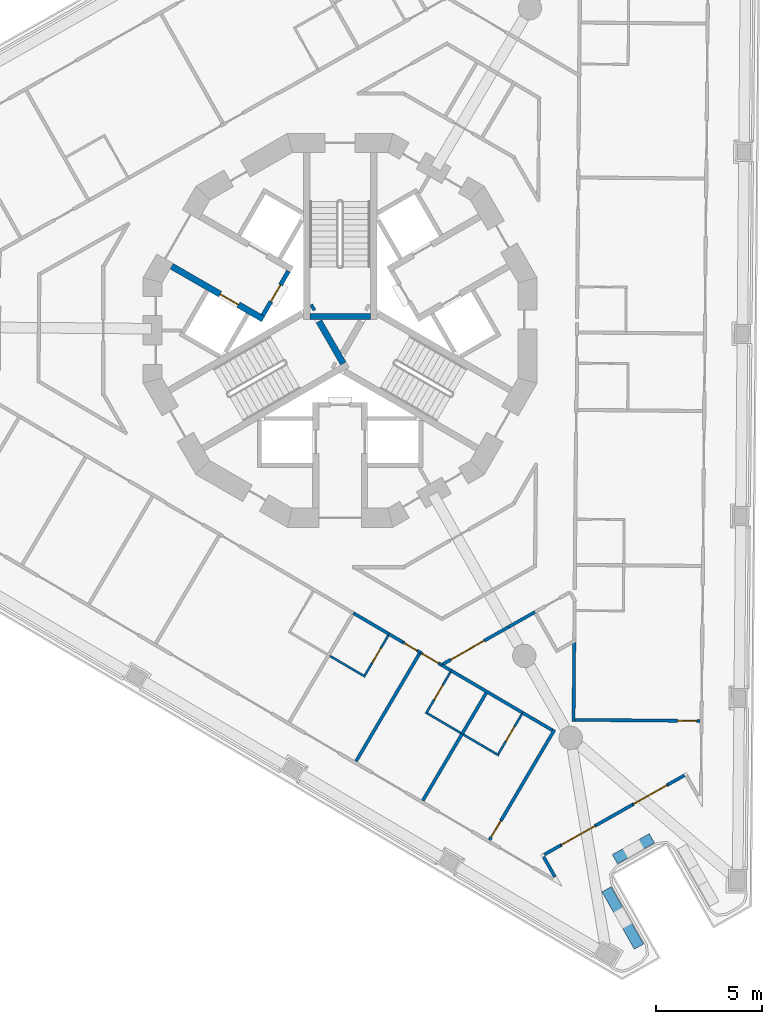
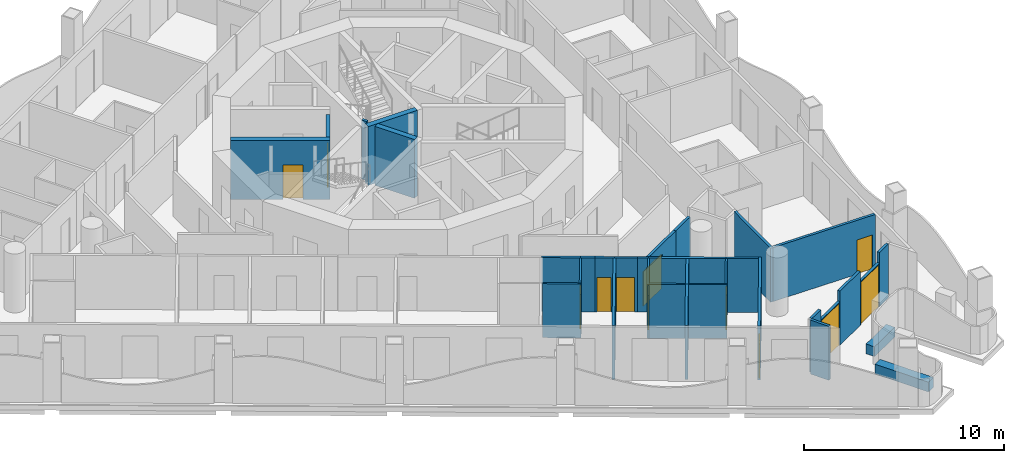
# One storey, part 4 of 17: 34 walls, 12 doors, 12 openings.
"""IFC4 building model written with IfcOpenShell, lengths in metres."""

from ifc_helpers import new_model, si_unit, direction, frame, frame_2d, origin, place, context, subcontext, project, spatial, polyline, rectangle, outline, extrude, material, layer, layer_set, type_object, element, fill, save


model = new_model("IFC4")

# Units and contexts
model_context = context("Model", 3, precision=1e-05, world=origin(), true_north=direction((0.0, 1.0)))
body_context = subcontext(model_context, "Body", "Model", "MODEL_VIEW")
ifc_project = project(units=[si_unit("LENGTHUNIT", "METRE"), si_unit("AREAUNIT", "SQUARE_METRE"), si_unit("VOLUMEUNIT", "CUBIC_METRE"), si_unit("PLANEANGLEUNIT", "RADIAN"), si_unit("MASSUNIT", "GRAM", prefix="KILO")], contexts=[model_context])

# Site, building, storey
site_placement = place(None, origin())
site = spatial("IfcSite", under=ifc_project, at=site_placement, CompositionType="ELEMENT")
building_placement = place(site_placement, origin())
building = spatial("IfcBuilding", under=site, at=building_placement, Name="Trine Commons Tower", CompositionType="ELEMENT")
storey_placement = place(building_placement, frame((0.0, 0.0, 186.300048828125)))
storey = spatial("IfcBuildingStorey", under=building, at=storey_placement, Name="L48", CompositionType="ELEMENT", Elevation=186.300048828125)

# Wall
ifc_material_1 = material(Name="Aluminium-framed insulated wall panel", Category="aluminium")
ifc_layer_1 = layer(ifc_material_1, 0.14990234375)
ifc_layer_set_1 = layer_set([ifc_layer_1], Name="Aluminium-framed insulated wall panel")
wall_type_1 = type_object("IfcWallType", Name="Glazed frame wall 150, EI 60", PredefinedType="SOLIDWALL", material=ifc_layer_set_1)
wall_1_placement = place(storey_placement, frame((96.30078125, 41.6083984375, 0.0), z_axis=(0.0, 0.0, 1.0), x_axis=(-0.870353598469, -0.492427267353, 0.0)))
element("IfcWall", 1, at=wall_1_placement, inside=storey, type_object=wall_type_1, Name="Glazed frame wall P3.1", PredefinedType="SOLIDWALL", context=body_context, shape_type="SweptSolid", body=[
    extrude(outline(polyline([(0.110107421875, -0.074951171875), (1.0, -0.074951171875), (1.0, 0.074951171875), (0.110107421875, 0.074951171875), (0.110107421875, -0.074951171875)])), origin(), (0.0, 0.0, 1.0), 3.300048828125),
])

# Wall, opening, door
wall_2_placement = place(storey_placement, frame((95.430419921875, 41.115966796875, 0.0), z_axis=(0.0, 0.0, 1.0), x_axis=(-0.870354540841, -0.492425601728, 0.0)))
wall_2 = element("IfcWall", 2, at=wall_2_placement, inside=storey, type_object=wall_type_1, Name="Glazed frame wall P3.2", PredefinedType="SOLIDWALL", context=body_context, shape_type="SweptSolid", body=[
    extrude(outline(polyline([(0.0, -0.074951171875), (1.89990234375, -0.074951171875), (1.89990234375, 0.074951171875), (0.0, 0.074951171875), (0.0, -0.074951171875)])), origin(), (0.0, 0.0, 1.0), 2.64990234375),
])
opening_1_placement = place(wall_2_placement, frame((0.050048828125, 0.0, 0.0)))
opening_1 = element("IfcOpeningElement", 3, at=opening_1_placement, cuts=wall_2, Name="Opening BD-5P3-01", PredefinedType="OPENING", context=body_context, shape_type="SweptSolid", body=[
    extrude(rectangle(XDim=1.800048828125, YDim=2.60009765625, at=frame_2d((0.89990234375, 1.300048828125))), frame((0.0, 0.0849609375, 0.0), z_axis=(0.0, -1.0, 0.0), x_axis=(1.0, 0.0, 0.0)), (0.0, 0.0, 1.0), 0.169921875),
])
ifc_material_2 = material(Name="Anodised aluminium frame with double glazing", Category="aluminium")
door_type_1 = type_object("IfcDoorType", Name="Sliding loggia door 1800x2600", OperationType="SLIDING_TO_LEFT", PredefinedType="DOOR", material=ifc_material_2)
door_1_placement = place(opening_1_placement, origin())
door_1 = element("IfcDoor", 4, at=door_1_placement, inside=storey, type_object=door_type_1, Name="Loggia door P3 1", OperationType="SLIDING_TO_LEFT", OverallHeight=2.60009765625, OverallWidth=1.800048828125, PredefinedType="DOOR", context=body_context, shape_type="SweptSolid", body=[
    extrude(rectangle(XDim=1.800048828125, YDim=2.60009765625, at=frame_2d((0.89990234375, 1.300048828125))), frame((0.0, 0.02490234375, 0.0), z_axis=(0.0, -1.0, 0.0), x_axis=(1.0, 0.0, 0.0)), (0.0, 0.0, 1.0), 0.050048828125),
])
fill(opening_1, door_1)

# Wall
wall_3_placement = place(storey_placement, frame((93.77685546875, 40.180419921875, 0.0), z_axis=(0.0, 0.0, 1.0), x_axis=(-0.870353598469, -0.492427267353, 0.0)))
element("IfcWall", 5, at=wall_3_placement, inside=storey, type_object=wall_type_1, Name="Glazed frame wall P3.3", PredefinedType="SOLIDWALL", context=body_context, shape_type="SweptSolid", body=[
    extrude(outline(polyline([(0.0, -0.074951171875), (2.0, -0.074951171875), (2.0, 0.074951171875), (0.0, 0.074951171875), (0.0, -0.074951171875)])), origin(), (0.0, 0.0, 1.0), 3.300048828125),
])

# Wall, opening, door
wall_4_placement = place(storey_placement, frame((92.0361328125, 39.195556640625, 0.0), z_axis=(0.0, 0.0, 1.0), x_axis=(-0.870385695537, -0.492370532226, 0.0)))
wall_4 = element("IfcWall", 6, at=wall_4_placement, inside=storey, type_object=wall_type_1, Name="Glazed frame wall P3.4", PredefinedType="SOLIDWALL", context=body_context, shape_type="SweptSolid", body=[
    extrude(outline(polyline([(0.0, -0.074951171875), (1.89990234375, -0.074951171875), (1.89990234375, 0.074951171875), (0.0, 0.074951171875), (0.0, -0.074951171875)])), origin(), (0.0, 0.0, 1.0), 2.64990234375),
])
opening_2_placement = place(wall_4_placement, frame((0.050048828125, 0.0, 0.0)))
opening_2 = element("IfcOpeningElement", 7, at=opening_2_placement, cuts=wall_4, Name="Opening BD-5P3-02", PredefinedType="OPENING", context=body_context, shape_type="SweptSolid", body=[
    extrude(rectangle(XDim=1.800048828125, YDim=2.60009765625, at=frame_2d((0.89990234375, 1.300048828125))), frame((0.0, 0.0849609375, 0.0), z_axis=(0.0, -1.0, 0.0), x_axis=(1.0, 0.0, 0.0)), (0.0, 0.0, 1.0), 0.169921875),
])
door_2_placement = place(opening_2_placement, origin())
door_2 = element("IfcDoor", 8, at=door_2_placement, inside=storey, type_object=door_type_1, Name="Loggia door P3 2", OperationType="SLIDING_TO_LEFT", OverallHeight=2.60009765625, OverallWidth=1.800048828125, PredefinedType="DOOR", context=body_context, shape_type="SweptSolid", body=[
    extrude(rectangle(XDim=1.800048828125, YDim=2.60009765625, at=frame_2d((0.89990234375, 1.300048828125))), frame((0.0, 0.02490234375, 0.0), z_axis=(0.0, -1.0, 0.0), x_axis=(1.0, 0.0, 0.0)), (0.0, 0.0, 1.0), 0.050048828125),
])
fill(opening_2, door_2)

# Walls
wall_5_placement = place(storey_placement, frame((90.38232421875, 38.260009765625, 0.0), z_axis=(0.0, 0.0, 1.0), x_axis=(-0.870294379776, -0.492531920316, 0.0)))
element("IfcWall", 9, at=wall_5_placement, inside=storey, type_object=wall_type_1, Name="Glazed frame wall P3.5", PredefinedType="SOLIDWALL", context=body_context, shape_type="SweptSolid", body=[
    extrude(outline(polyline([(0.889892578125, 0.074951171875), (0.0, 0.074951171875), (0.0, -0.074951171875), (0.889892578125, -0.074951171875), (0.889892578125, 0.074951171875)])), origin(), (0.0, 0.0, 1.0), 3.300048828125),
])
wall_6_placement = place(storey_placement, frame((89.525390625, 37.815185546875, 0.0), z_axis=(0.0, 0.0, 1.0), x_axis=(0.492302481267, -0.870424187933, 0.0)))
element("IfcWall", 10, at=wall_6_placement, inside=storey, type_object=wall_type_1, Name="Glazed frame wall R11", PredefinedType="SOLIDWALL", context=body_context, shape_type="SweptSolid", body=[
    extrude(outline(polyline([(0.110107421875, 0.074951171875), (0.110107421875, -0.074951171875), (1.19580078125, -0.074951171875), (1.19580078125, 0.074951171875), (0.110107421875, 0.074951171875)])), origin(), (0.0, 0.0, 1.0), 3.300048828125),
])

# Wall, opening, door
ifc_material_3 = material(Name="Fire-rated gypsum shaft wall system")
ifc_layer_2 = layer(ifc_material_3, 0.199951171875)
ifc_layer_set_2 = layer_set([ifc_layer_2], Name="Fire-rated gypsum shaft wall system")
wall_type_2 = type_object("IfcWallType", Name="Lobby end wall 200 mm, EI 120", PredefinedType="PARTITIONING", material=ifc_layer_set_2)
wall_7_placement = place(storey_placement, frame((77.569091796875, 65.2890625, 0.0), z_axis=(0.0, 0.0, 1.0), x_axis=(-0.50012165622, -0.865955154139, 0.0)))
wall_7 = element("IfcWall", 11, at=wall_7_placement, inside=storey, type_object=wall_type_2, Name="Lobby end wall L48", PredefinedType="PARTITIONING", context=body_context, shape_type="SweptSolid", body=[
    extrude(rectangle(XDim=2.39990234375, YDim=0.199951171875, at=frame_2d((1.199951171875, 0.0))), origin(), (0.0, 0.0, 1.0), 3.300048828125),
])
opening_3_placement = place(wall_7_placement, frame((0.749755859375, 0.0, 0.0)))
opening_3 = element("IfcOpeningElement", 12, at=opening_3_placement, cuts=wall_7, Name="Opening K11.07", PredefinedType="OPENING", context=body_context, shape_type="SweptSolid", body=[
    extrude(rectangle(XDim=0.89990234375, YDim=2.10009765625, at=frame_2d((0.449951171875, 1.050048828125))), frame((0.0, 0.10986328125, 0.0), z_axis=(0.0, -1.0, 0.0), x_axis=(1.0, 0.0, 0.0)), (0.0, 0.0, 1.0), 0.219970703125),
])
ifc_material_4 = material(Name="Steel door leaf, fire-rated", Category="steel")
door_type_2 = type_object("IfcDoorType", Name="Riser access door, single leaf 900 x 2100, FD60", OperationType="SINGLE_SWING_LEFT", PredefinedType="DOOR", material=ifc_material_4)
door_3_placement = place(opening_3_placement, frame((0.89990234375, 0.0, 0.0), z_axis=(0.0, 0.0, 1.0), x_axis=(-1.0, 0.0, 0.0)))
door_3 = element("IfcDoor", 13, at=door_3_placement, inside=storey, type_object=door_type_2, Name="Riser door, Mechanical riser L48", OperationType="SINGLE_SWING_RIGHT", OverallHeight=2.10009765625, OverallWidth=0.89990234375, PredefinedType="DOOR", context=body_context, shape_type="SweptSolid", body=[
    extrude(rectangle(XDim=0.89990234375, YDim=2.10009765625, at=frame_2d((0.449951171875, 1.050048828125))), frame((0.0, 0.02490234375, 0.0), z_axis=(0.0, -1.0, 0.0), x_axis=(1.0, 0.0, 0.0)), (0.0, 0.0, 1.0), 0.050048828125),
])
fill(opening_3, door_3)

# Walls
ifc_material_5 = material(Name="Planter trough, precast concrete C40/50", Category="concrete")
ifc_layer_3 = layer(ifc_material_5, 0.5)
ifc_layer_set_3 = layer_set([ifc_layer_3], Name="Planter trough, precast concrete C40/50")
wall_type_3 = type_object("IfcWallType", Name="Planter trough 500x600", PredefinedType="PARAPET", material=ifc_layer_set_3)
wall_8_placement = place(storey_placement, frame((94.67529296875, 38.592041015625, 0.0), z_axis=(0.0, 0.0, 1.0), x_axis=(-0.870323993841, -0.492479589165, 0.0)))
element("IfcWall", 14, at=wall_8_placement, inside=storey, type_object=wall_type_3, Name="Planter 8", PredefinedType="PARAPET", context=body_context, shape_type="SweptSolid", body=[
    extrude(rectangle(XDim=1.999755859375, YDim=0.5, at=frame_2d((1.0, 0.0))), origin(), (0.0, 0.0, 1.0), 0.599853515625),
])
wall_9_placement = place(storey_placement, frame((92.541748046875, 36.189697265625, 0.0), z_axis=(0.0, 0.0, 1.0), x_axis=(0.492402381783, -0.870367677717, 0.0)))
element("IfcWall", 15, at=wall_9_placement, inside=storey, type_object=wall_type_3, Name="Planter 9", PredefinedType="PARAPET", context=body_context, shape_type="SweptSolid", body=[
    extrude(rectangle(XDim=3.099853515625, YDim=0.5, at=frame_2d((1.5498046875, 0.0))), origin(), (0.0, 0.0, 1.0), 0.599853515625),
])

# Wall, opening, door
ifc_material_6 = material(Name="Concrete C60/75", Category="concrete")
ifc_layer_4 = layer(ifc_material_6, 0.300048828125)
ifc_layer_set_4 = layer_set([ifc_layer_4], Name="Concrete C60/75")
wall_type_4 = type_object("IfcWallType", Name="RC shear wall 300 mm, C60/75", PredefinedType="SHEAR", material=ifc_layer_set_4)
wall_10_placement = place(storey_placement, frame((76.381103515625, 63.031005859375, 0.0), z_axis=(0.0, 0.0, 1.0), x_axis=(-0.866080953719, 0.499903772346, 0.0)))
wall_10 = element("IfcWall", 16, at=wall_10_placement, inside=storey, type_object=wall_type_4, Name="Core cross wall SWB-01 L48", PredefinedType="SHEAR", context=body_context, shape_type="SweptSolid", body=[
    extrude(rectangle(XDim=4.97314453125, YDim=0.300048828125, at=frame_2d((2.486572265625, 0.0))), origin(), (0.0, 0.0, 1.0), 3.599853515625),
])
opening_4_placement = place(wall_10_placement, frame((1.350341796875, 0.0, 0.0)))
opening_4 = element("IfcOpeningElement", 17, at=opening_4_placement, cuts=wall_10, Name="Opening LD7", PredefinedType="OPENING", context=body_context, shape_type="SweptSolid", body=[
    extrude(rectangle(XDim=1.0, YDim=2.10009765625, at=frame_2d((0.5, 1.050048828125))), frame((0.0, 0.159912109375, 0.0), z_axis=(0.0, -1.0, 0.0), x_axis=(1.0, 0.0, 0.0)), (0.0, 0.0, 1.0), 0.320068359375),
])
ifc_material_7 = material(Name="Stainless steel sliding door leaves", Category="steel")
door_type_3 = type_object("IfcDoorType", Name="Lift landing door, centre-opening sliding 1000 x 2100, FD90", OperationType="DOUBLE_DOOR_SLIDING", PredefinedType="DOOR", material=ifc_material_7)
door_4_placement = place(opening_4_placement, origin())
door_4 = element("IfcDoor", 18, at=door_4_placement, inside=storey, type_object=door_type_3, Name="Lift landing door HR3 L48", OperationType="DOUBLE_DOOR_SLIDING", OverallHeight=2.10009765625, OverallWidth=1.0, PredefinedType="DOOR", context=body_context, shape_type="SweptSolid", body=[
    extrude(rectangle(XDim=1.0, YDim=2.10009765625, at=frame_2d((0.5, 1.050048828125))), frame((0.0, 0.02490234375, 0.0), z_axis=(0.0, -1.0, 0.0), x_axis=(1.0, 0.0, 0.0)), (0.0, 0.0, 1.0), 0.050048828125),
])
fill(opening_4, door_4)

# Walls
wall_11_placement = place(storey_placement, frame((78.779052734375, 63.614013671875, 0.0), z_axis=(0.0, 0.0, 1.0), x_axis=(-0.867737973955, -0.497021939713, 0.0)))
element("IfcWall", 19, at=wall_11_placement, inside=storey, type_object=wall_type_4, Name="Core cross wall SWB-09 L48", PredefinedType="SHEAR", context=body_context, shape_type="SweptSolid", body=[
    extrude(rectangle(XDim=0.14892578125, YDim=0.300048828125, at=frame_2d((0.074462890625, 0.0))), origin(), (0.0, 0.0, 1.0), 3.599853515625),
])
wall_12_placement = place(storey_placement, frame((79.0029296875, 62.926025390625, 0.0), z_axis=(0.0, 0.0, 1.0), x_axis=(0.499965247104, -0.866045467449, 0.0)))
element("IfcWall", 20, at=wall_12_placement, inside=storey, type_object=wall_type_4, Name="Core cross wall SWB-10 L48", PredefinedType="SHEAR", context=body_context, shape_type="SweptSolid", body=[
    extrude(rectangle(XDim=2.292236328125, YDim=0.300048828125, at=frame_2d((1.14599609375, 0.0))), origin(), (0.0, 0.0, 1.0), 3.599853515625),
])
wall_13_placement = place(storey_placement, frame((81.425048828125, 63.15087890625, 0.0), z_axis=(0.0, 0.0, 1.0), x_axis=(-1.0, 0.0, 0.0)))
element("IfcWall", 21, at=wall_13_placement, inside=storey, type_object=wall_type_4, Name="Core cross wall SWB-16 L48", PredefinedType="SHEAR", context=body_context, shape_type="SweptSolid", body=[
    extrude(rectangle(XDim=2.85009765625, YDim=0.300048828125, at=frame_2d((1.425048828125, 0.0))), origin(), (0.0, 0.0, 1.0), 3.599853515625),
])
ifc_material_8 = material(Name="Gypsum plasterboard on steel stud", Category="steel")
ifc_layer_5 = layer(ifc_material_8, 0.14990234375)
ifc_layer_set_5 = layer_set([ifc_layer_5], Name="Gypsum plasterboard on steel stud")
wall_type_5 = type_object("IfcWallType", Name="Unit and corridor wall 150 mm, EI 60", PredefinedType="PARTITIONING", material=ifc_layer_set_5)
wall_14_placement = place(storey_placement, frame((80.6240234375, 49.194091796875, 0.0), z_axis=(0.0, 0.0, 1.0), x_axis=(0.861395924151, -0.507934111727, 0.0)))
element("IfcWall", 22, at=wall_14_placement, inside=storey, type_object=wall_type_5, Name="Partition 056", PredefinedType="PARTITIONING", context=body_context, shape_type="SweptSolid", body=[
    extrude(rectangle(XDim=2.00732421875, YDim=0.14990234375, at=frame_2d((1.003662109375, 0.0))), origin(), (0.0, 0.0, 1.0), 3.300048828125),
])
wall_15_placement = place(storey_placement, frame((80.750244140625, 42.215576171875, 0.0), z_axis=(0.0, 0.0, 1.0), x_axis=(0.507497807972, 0.86165304787, 0.0)))
element("IfcWall", 23, at=wall_15_placement, inside=storey, type_object=wall_type_5, Name="Partition 059", PredefinedType="PARTITIONING", context=body_context, shape_type="SweptSolid", body=[
    extrude(rectangle(XDim=5.873291015625, YDim=0.14990234375, at=frame_2d((2.9365234375, 0.0))), origin(), (0.0, 0.0, 1.0), 3.300048828125),
])
wall_16_placement = place(storey_placement, frame((82.303955078125, 48.2041015625, 0.0), z_axis=(0.0, 0.0, 1.0), x_axis=(0.861676633233, -0.507457761532, 0.0)))
element("IfcWall", 24, at=wall_16_placement, inside=storey, type_object=wall_type_5, Name="Partition 066", PredefinedType="PARTITIONING", context=body_context, shape_type="SweptSolid", body=[
    extrude(rectangle(XDim=0.731201171875, YDim=0.14990234375, at=frame_2d((0.36572265625, 0.0))), origin(), (0.0, 0.0, 1.0), 3.300048828125),
])

# Wall, opening, door
wall_17_placement = place(storey_placement, frame((82.93408203125, 47.8330078125, 0.0), z_axis=(0.0, 0.0, 1.0), x_axis=(0.861475716629, -0.507798768864, 0.0)))
wall_17 = element("IfcWall", 25, at=wall_17_placement, inside=storey, type_object=wall_type_5, Name="Partition 067", PredefinedType="PARTITIONING", context=body_context, shape_type="SweptSolid", body=[
    extrude(rectangle(XDim=0.97265625, YDim=0.14990234375, at=frame_2d((0.486328125, 0.0))), origin(), (0.0, 0.0, 1.0), 3.300048828125),
])
opening_5_placement = place(wall_17_placement, frame((0.1005859375, 0.0, 0.0)))
opening_5 = element("IfcOpeningElement", 26, at=opening_5_placement, cuts=wall_17, Name="Opening D-5C22", PredefinedType="OPENING", context=body_context, shape_type="SweptSolid", body=[
    extrude(rectangle(XDim=0.699951171875, YDim=2.10009765625, at=frame_2d((0.35009765625, 1.050048828125))), frame((0.0, 0.0849609375, 0.0), z_axis=(0.0, -1.0, 0.0), x_axis=(1.0, 0.0, 0.0)), (0.0, 0.0, 1.0), 0.169921875),
])
ifc_material_9 = material(Name="Timber fire door set", Category="wood")
door_type_4 = type_object("IfcDoorType", Name="Bedroom door 700 x 2100, FD30S", OperationType="NOTDEFINED", PredefinedType="DOOR", material=ifc_material_9)
door_5_placement = place(opening_5_placement, frame((0.699951171875, 0.0, 0.0), z_axis=(0.0, 0.0, 1.0), x_axis=(-1.0, 0.0, 0.0)))
door_5 = element("IfcDoor", 27, at=door_5_placement, inside=storey, type_object=door_type_4, Name="Door D-5C22", OperationType="SINGLE_SWING_RIGHT", OverallHeight=2.10009765625, OverallWidth=0.699951171875, PredefinedType="DOOR", context=body_context, shape_type="SweptSolid", body=[
    extrude(rectangle(XDim=0.699951171875, YDim=2.10009765625, at=frame_2d((0.35009765625, 1.050048828125))), frame((0.0, 0.02490234375, 0.0), z_axis=(0.0, -1.0, 0.0), x_axis=(1.0, 0.0, 0.0)), (0.0, 0.0, 1.0), 0.050048828125),
])
fill(opening_5, door_5)

wall_18_placement = place(storey_placement, frame((83.76611328125, 47.343017578125, 0.0), z_axis=(0.0, 0.0, 1.0), x_axis=(0.861734818552, -0.507358948374, 0.0)))
wall_18 = element("IfcWall", 28, at=wall_18_placement, inside=storey, type_object=wall_type_5, Name="Partition 070", PredefinedType="PARTITIONING", context=body_context, shape_type="SweptSolid", body=[
    extrude(rectangle(XDim=1.1650390625, YDim=0.14990234375, at=frame_2d((0.58251953125, 0.0))), origin(), (0.0, 0.0, 1.0), 3.300048828125),
])
opening_6_placement = place(wall_18_placement, frame((0.109619140625, 0.0, 0.0)))
opening_6 = element("IfcOpeningElement", 29, at=opening_6_placement, cuts=wall_18, Name="Opening D-5C21", PredefinedType="OPENING", context=body_context, shape_type="SweptSolid", body=[
    extrude(rectangle(XDim=0.89990234375, YDim=2.10009765625, at=frame_2d((0.449951171875, 1.050048828125))), frame((0.0, 0.0849609375, 0.0), z_axis=(0.0, -1.0, 0.0), x_axis=(1.0, 0.0, 0.0)), (0.0, 0.0, 1.0), 0.169921875),
])
door_type_5 = type_object("IfcDoorType", Name="Bedroom door 900 x 2100, FD30S", OperationType="NOTDEFINED", PredefinedType="DOOR", material=ifc_material_9)
door_6_placement = place(opening_6_placement, frame((0.89990234375, 0.0, 0.0), z_axis=(0.0, 0.0, 1.0), x_axis=(-1.0, 0.0, 0.0)))
door_6 = element("IfcDoor", 30, at=door_6_placement, inside=storey, type_object=door_type_5, Name="Door D-5C21", OperationType="SINGLE_SWING_RIGHT", OverallHeight=2.10009765625, OverallWidth=0.89990234375, PredefinedType="DOOR", context=body_context, shape_type="SweptSolid", body=[
    extrude(rectangle(XDim=0.89990234375, YDim=2.10009765625, at=frame_2d((0.449951171875, 1.050048828125))), frame((0.0, 0.02490234375, 0.0), z_axis=(0.0, -1.0, 0.0), x_axis=(1.0, 0.0, 0.0)), (0.0, 0.0, 1.0), 0.050048828125),
])
fill(opening_6, door_6)

# Walls
wall_19_placement = place(storey_placement, frame((83.892333984375, 40.364501953125, 0.0), z_axis=(0.0, 0.0, 1.0), x_axis=(0.50751135469, 0.861645068959, 0.0)))
element("IfcWall", 31, at=wall_19_placement, inside=storey, type_object=wall_type_5, Name="Partition 071", PredefinedType="PARTITIONING", context=body_context, shape_type="SweptSolid", body=[
    extrude(rectangle(XDim=3.6484375, YDim=0.14990234375, at=frame_2d((1.82421875, 0.0))), origin(), (0.0, 0.0, 1.0), 3.300048828125),
])
wall_20_placement = place(storey_placement, frame((84.77001953125, 46.751953125, 0.0), z_axis=(0.0, 0.0, 1.0), x_axis=(0.861655023, -0.507494454491, 0.0)))
element("IfcWall", 32, at=wall_20_placement, inside=storey, type_object=wall_type_5, Name="Partition 077", PredefinedType="PARTITIONING", context=body_context, shape_type="SweptSolid", body=[
    extrude(rectangle(XDim=0.539794921875, YDim=0.14990234375, at=frame_2d((0.27001953125, 0.0))), origin(), (0.0, 0.0, 1.0), 3.300048828125),
])

# Wall, opening, door
wall_21_placement = place(storey_placement, frame((84.835205078125, 46.788818359375, 0.0), z_axis=(0.0, 0.0, 1.0), x_axis=(0.870381542182, 0.492377874228, 0.0)))
wall_21 = element("IfcWall", 33, at=wall_21_placement, inside=storey, type_object=wall_type_5, Name="Partition 078", PredefinedType="PARTITIONING", context=body_context, shape_type="SweptSolid", body=[
    extrude(rectangle(XDim=3.5625, YDim=0.14990234375, at=frame_2d((1.78125, 0.0))), origin(), (0.0, 0.0, 1.0), 2.75),
])
opening_7_placement = place(wall_21_placement, frame((0.435546875, 0.0, 0.0)))
opening_7 = element("IfcOpeningElement", 34, at=opening_7_placement, cuts=wall_21, Name="Opening D-5C02", PredefinedType="OPENING", context=body_context, shape_type="SweptSolid", body=[
    extrude(rectangle(XDim=1.800048828125, YDim=2.10009765625, at=frame_2d((0.89990234375, 1.050048828125))), frame((0.0, 0.0849609375, 0.0), z_axis=(0.0, -1.0, 0.0), x_axis=(1.0, 0.0, 0.0)), (0.0, 0.0, 1.0), 0.169921875),
])
door_type_6 = type_object("IfcDoorType", Name="Cluster entrance door 1800 x 2100, double leaf, FD30S", OperationType="DOUBLE_DOOR_DOUBLE_SWING", PredefinedType="DOOR", material=ifc_material_9)
door_7_placement = place(opening_7_placement, frame((1.800048828125, 0.0, 0.0), z_axis=(0.0, 0.0, 1.0), x_axis=(-1.0, 0.0, 0.0)))
door_7 = element("IfcDoor", 35, at=door_7_placement, inside=storey, type_object=door_type_6, Name="Door D-5C02", OperationType="DOUBLE_DOOR_DOUBLE_SWING", OverallHeight=2.10009765625, OverallWidth=1.800048828125, PredefinedType="DOOR", context=body_context, shape_type="SweptSolid", body=[
    extrude(rectangle(XDim=1.800048828125, YDim=2.10009765625, at=frame_2d((0.89990234375, 1.050048828125))), frame((0.0, 0.02490234375, 0.0), z_axis=(0.0, -1.0, 0.0), x_axis=(1.0, 0.0, 0.0)), (0.0, 0.0, 1.0), 0.050048828125),
])
fill(opening_7, door_7)

# Walls
wall_22_placement = place(storey_placement, frame((85.22900390625, 46.48193359375, 0.0), z_axis=(0.0, 0.0, 1.0), x_axis=(0.861496973754, -0.507762704629, 0.0)))
element("IfcWall", 36, at=wall_22_placement, inside=storey, type_object=wall_type_5, Name="Partition 084", PredefinedType="PARTITIONING", context=body_context, shape_type="SweptSolid", body=[
    extrude(rectangle(XDim=3.9072265625, YDim=0.14990234375, at=frame_2d((1.95361328125, 0.0))), origin(), (0.0, 0.0, 1.0), 3.300048828125),
])
wall_23_placement = place(storey_placement, frame((85.743896484375, 43.508056640625, 0.0), z_axis=(0.0, 0.0, 1.0), x_axis=(0.507719935198, 0.861522180447, 0.0)))
element("IfcWall", 37, at=wall_23_placement, inside=storey, type_object=wall_type_5, Name="Partition 085", PredefinedType="PARTITIONING", context=body_context, shape_type="SweptSolid", body=[
    extrude(rectangle(XDim=2.225341796875, YDim=0.14990234375, at=frame_2d((1.11279296875, 0.0))), origin(), (0.0, 0.0, 1.0), 3.300048828125),
])

# Wall, opening, door
wall_24_placement = place(storey_placement, frame((87.035400390625, 38.512451171875, 0.0), z_axis=(0.0, 0.0, 1.0), x_axis=(0.507392006532, 0.861715354225, 0.0)))
wall_24 = element("IfcWall", 38, at=wall_24_placement, inside=storey, type_object=wall_type_5, Name="Partition 089", PredefinedType="PARTITIONING", context=body_context, shape_type="SweptSolid", body=[
    extrude(rectangle(XDim=6.024169921875, YDim=0.14990234375, at=frame_2d((3.01220703125, 0.0))), origin(), (0.0, 0.0, 1.0), 3.300048828125),
])
opening_8_placement = place(wall_24_placement, frame((0.14990234375, 0.0, 0.0)))
opening_8 = element("IfcOpeningElement", 39, at=opening_8_placement, cuts=wall_24, Name="Opening D-5C20", PredefinedType="OPENING", context=body_context, shape_type="SweptSolid", body=[
    extrude(rectangle(XDim=0.89990234375, YDim=2.10009765625, at=frame_2d((0.449951171875, 1.050048828125))), frame((0.0, 0.0849609375, 0.0), z_axis=(0.0, -1.0, 0.0), x_axis=(1.0, 0.0, 0.0)), (0.0, 0.0, 1.0), 0.169921875),
])
door_8_placement = place(opening_8_placement, origin())
door_8 = element("IfcDoor", 40, at=door_8_placement, inside=storey, type_object=door_type_5, Name="Door D-5C20", OperationType="SINGLE_SWING_LEFT", OverallHeight=2.10009765625, OverallWidth=0.89990234375, PredefinedType="DOOR", context=body_context, shape_type="SweptSolid", body=[
    extrude(rectangle(XDim=0.89990234375, YDim=2.10009765625, at=frame_2d((0.449951171875, 1.050048828125))), frame((0.0, 0.02490234375, 0.0), z_axis=(0.0, -1.0, 0.0), x_axis=(1.0, 0.0, 0.0)), (0.0, 0.0, 1.0), 0.050048828125),
])
fill(opening_8, door_8)

# Walls
wall_25_placement = place(storey_placement, frame((87.93603515625, 48.54296875, 0.0), z_axis=(0.0, 0.0, 1.0), x_axis=(0.870505283706, 0.492159070871, 0.0)))
element("IfcWall", 41, at=wall_25_placement, inside=storey, type_object=wall_type_5, Name="Partition 093", PredefinedType="PARTITIONING", context=body_context, shape_type="SweptSolid", body=[
    extrude(rectangle(XDim=1.422119140625, YDim=0.14990234375, at=frame_2d((0.7109375, 0.0))), origin(), (0.0, 0.0, 1.0), 2.75),
])
wall_26_placement = place(storey_placement, frame((88.589111328125, 44.501953125, 0.0), z_axis=(0.0, 0.0, 1.0), x_axis=(0.861613540122, -0.507564880068, 0.0)))
element("IfcWall", 42, at=wall_26_placement, inside=storey, type_object=wall_type_5, Name="Partition 097", PredefinedType="PARTITIONING", context=body_context, shape_type="SweptSolid", body=[
    extrude(rectangle(XDim=1.625244140625, YDim=0.14990234375, at=frame_2d((0.8125, 0.0))), origin(), (0.0, 0.0, 1.0), 3.300048828125),
])
wall_27_placement = place(storey_placement, frame((90.98828125, 44.092041015625, 0.0), z_axis=(0.0, 0.0, 1.0), x_axis=(0.008789427608, 0.999961372235, 0.0)))
element("IfcWall", 43, at=wall_27_placement, inside=storey, type_object=wall_type_5, Name="Partition 105", PredefinedType="PARTITIONING", context=body_context, shape_type="SweptSolid", body=[
    extrude(rectangle(XDim=3.72216796875, YDim=0.14990234375, at=frame_2d((1.861083984375, 0.0))), origin(), (0.0, 0.0, 1.0), 3.300048828125),
])

# Wall, opening, door
wall_28_placement = place(storey_placement, frame((91.06396484375, 44.166259765625, 0.0), z_axis=(0.0, 0.0, 1.0), x_axis=(0.999962273479, -0.008686289076, 0.0)))
wall_28 = element("IfcWall", 44, at=wall_28_placement, inside=storey, type_object=wall_type_5, Name="Partition 106", PredefinedType="PARTITIONING", context=body_context, shape_type="SweptSolid", body=[
    extrude(rectangle(XDim=5.874267578125, YDim=0.14990234375, at=frame_2d((2.93701171875, 0.0))), origin(), (0.0, 0.0, 1.0), 3.300048828125),
])
opening_9_placement = place(wall_28_placement, frame((4.82421875, 0.0, 0.0)))
opening_9 = element("IfcOpeningElement", 45, at=opening_9_placement, cuts=wall_28, Name="Opening D-5C19", PredefinedType="OPENING", context=body_context, shape_type="SweptSolid", body=[
    extrude(rectangle(XDim=0.89990234375, YDim=2.10009765625, at=frame_2d((0.449951171875, 1.050048828125))), frame((0.0, 0.0849609375, 0.0), z_axis=(0.0, -1.0, 0.0), x_axis=(1.0, 0.0, 0.0)), (0.0, 0.0, 1.0), 0.169921875),
])
door_9_placement = place(opening_9_placement, origin())
door_9 = element("IfcDoor", 46, at=door_9_placement, inside=storey, type_object=door_type_5, Name="Door D-5C19", OperationType="SINGLE_SWING_RIGHT", OverallHeight=2.10009765625, OverallWidth=0.89990234375, PredefinedType="DOOR", context=body_context, shape_type="SweptSolid", body=[
    extrude(rectangle(XDim=0.89990234375, YDim=2.10009765625, at=frame_2d((0.449951171875, 1.050048828125))), frame((0.0, 0.02490234375, 0.0), z_axis=(0.0, -1.0, 0.0), x_axis=(1.0, 0.0, 0.0)), (0.0, 0.0, 1.0), 0.050048828125),
])
fill(opening_9, door_9)

# Wall
ifc_layer_6 = layer(ifc_material_8, 0.10009765625)
ifc_layer_set_6 = layer_set([ifc_layer_6], Name="Gypsum plasterboard on steel stud")
wall_type_6 = type_object("IfcWallType", Name="Unit partition 100 mm, no rating", PredefinedType="PARTITIONING", material=ifc_layer_set_6)
wall_29_placement = place(storey_placement, frame((79.523681640625, 47.172119140625, 0.0), z_axis=(0.0, 0.0, 1.0), x_axis=(0.861836412555, -0.507186354306, 0.0)))
element("IfcWall", 47, at=wall_29_placement, inside=storey, type_object=wall_type_6, Name="Partition 054", PredefinedType="PARTITIONING", context=body_context, shape_type="SweptSolid", body=[
    extrude(rectangle(XDim=1.925537109375, YDim=0.10009765625, at=frame_2d((0.962890625, 0.0))), origin(), (0.0, 0.0, 1.0), 3.300048828125),
])

# Wall, opening, door
wall_30_placement = place(storey_placement, frame((81.165283203125, 46.26416015625, 0.0), z_axis=(0.0, 0.0, 1.0), x_axis=(0.507559836999, 0.861616510906, 0.0)))
wall_30 = element("IfcWall", 48, at=wall_30_placement, inside=storey, type_object=wall_type_6, Name="Partition 064", PredefinedType="PARTITIONING", context=body_context, shape_type="SweptSolid", body=[
    extrude(rectangle(XDim=2.174072265625, YDim=0.10009765625, at=frame_2d((1.0869140625, 0.0))), origin(), (0.0, 0.0, 1.0), 3.300048828125),
])
opening_10_placement = place(wall_30_placement, frame((0.68701171875, 0.0, 0.0)))
opening_10 = element("IfcOpeningElement", 49, at=opening_10_placement, cuts=wall_30, Name="Opening D-5C48", PredefinedType="OPENING", context=body_context, shape_type="SweptSolid", body=[
    extrude(rectangle(XDim=0.800048828125, YDim=2.10009765625, at=frame_2d((0.39990234375, 1.050048828125))), frame((0.0, 0.06005859375, 0.0), z_axis=(0.0, -1.0, 0.0), x_axis=(1.0, 0.0, 0.0)), (0.0, 0.0, 1.0), 0.1201171875),
])
ifc_material_10 = material(Name="Painted timber", Category="wood")
door_type_7 = type_object("IfcDoorType", Name="Internal door 800 x 2100, NOT RATED", OperationType="NOTDEFINED", PredefinedType="DOOR", material=ifc_material_10)
door_10_placement = place(opening_10_placement, frame((0.800048828125, 0.0, 0.0), z_axis=(0.0, 0.0, 1.0), x_axis=(-1.0, 0.0, 0.0)))
door_10 = element("IfcDoor", 50, at=door_10_placement, inside=storey, type_object=door_type_7, Name="Door D-5C48", OperationType="SINGLE_SWING_RIGHT", OverallHeight=2.10009765625, OverallWidth=0.800048828125, PredefinedType="DOOR", context=body_context, shape_type="SweptSolid", body=[
    extrude(rectangle(XDim=0.800048828125, YDim=2.10009765625, at=frame_2d((0.39990234375, 1.050048828125))), frame((0.0, 0.02490234375, 0.0), z_axis=(0.0, -1.0, 0.0), x_axis=(1.0, 0.0, 0.0)), (0.0, 0.0, 1.0), 0.050048828125),
])
fill(opening_10, door_10)

wall_31_placement = place(storey_placement, frame((84.03857421875, 44.454833984375, 0.0), z_axis=(0.0, 0.0, 1.0), x_axis=(0.50769515182, 0.861536785528, 0.0)))
wall_31 = element("IfcWall", 51, at=wall_31_placement, inside=storey, type_object=wall_type_6, Name="Partition 072", PredefinedType="PARTITIONING", context=body_context, shape_type="SweptSolid", body=[
    extrude(rectangle(XDim=2.275634765625, YDim=0.10009765625, at=frame_2d((1.1376953125, 0.0))), origin(), (0.0, 0.0, 1.0), 3.300048828125),
])
opening_11_placement = place(wall_31_placement, frame((0.7626953125, 0.0, 0.0)))
opening_11 = element("IfcOpeningElement", 52, at=opening_11_placement, cuts=wall_31, Name="Opening D-5C47", PredefinedType="OPENING", context=body_context, shape_type="SweptSolid", body=[
    extrude(rectangle(XDim=0.800048828125, YDim=2.10009765625, at=frame_2d((0.39990234375, 1.050048828125))), frame((0.0, 0.06005859375, 0.0), z_axis=(0.0, -1.0, 0.0), x_axis=(1.0, 0.0, 0.0)), (0.0, 0.0, 1.0), 0.1201171875),
])
door_11_placement = place(opening_11_placement, origin())
door_11 = element("IfcDoor", 53, at=door_11_placement, inside=storey, type_object=door_type_7, Name="Door D-5C47", OperationType="SINGLE_SWING_RIGHT", OverallHeight=2.10009765625, OverallWidth=0.800048828125, PredefinedType="DOOR", context=body_context, shape_type="SweptSolid", body=[
    extrude(rectangle(XDim=0.800048828125, YDim=2.10009765625, at=frame_2d((0.39990234375, 1.050048828125))), frame((0.0, 0.02490234375, 0.0), z_axis=(0.0, -1.0, 0.0), x_axis=(1.0, 0.0, 0.0)), (0.0, 0.0, 1.0), 0.050048828125),
])
fill(opening_11, door_11)

# Walls
wall_32_placement = place(storey_placement, frame((84.107177734375, 44.47265625, 0.0), z_axis=(0.0, 0.0, 1.0), x_axis=(0.861538461538, -0.507692307692, 0.0)))
element("IfcWall", 54, at=wall_32_placement, inside=storey, type_object=wall_type_6, Name="Partition 073", PredefinedType="PARTITIONING", context=body_context, shape_type="SweptSolid", body=[
    extrude(rectangle(XDim=1.824951171875, YDim=0.10009765625, at=frame_2d((0.91259765625, 0.0))), origin(), (0.0, 0.0, 1.0), 3.300048828125),
])
wall_33_placement = place(storey_placement, frame((85.80859375, 43.469970703125, 0.0), z_axis=(0.0, 0.0, 1.0), x_axis=(0.861891835241, -0.507092165533, 0.0)))
element("IfcWall", 55, at=wall_33_placement, inside=storey, type_object=wall_type_6, Name="Partition 086", PredefinedType="PARTITIONING", context=body_context, shape_type="SweptSolid", body=[
    extrude(rectangle(XDim=1.92529296875, YDim=0.10009765625, at=frame_2d((0.962646484375, 0.0))), origin(), (0.0, 0.0, 1.0), 3.300048828125),
])

# Wall, opening, door
wall_34_placement = place(storey_placement, frame((87.450439453125, 42.56201171875, 0.0), z_axis=(0.0, 0.0, 1.0), x_axis=(0.507559836999, 0.861616510906, 0.0)))
wall_34 = element("IfcWall", 56, at=wall_34_placement, inside=storey, type_object=wall_type_6, Name="Partition 090", PredefinedType="PARTITIONING", context=body_context, shape_type="SweptSolid", body=[
    extrude(rectangle(XDim=2.174072265625, YDim=0.10009765625, at=frame_2d((1.0869140625, 0.0))), origin(), (0.0, 0.0, 1.0), 3.300048828125),
])
opening_12_placement = place(wall_34_placement, frame((0.68701171875, 0.0, 0.0)))
opening_12 = element("IfcOpeningElement", 57, at=opening_12_placement, cuts=wall_34, Name="Opening D-5C46", PredefinedType="OPENING", context=body_context, shape_type="SweptSolid", body=[
    extrude(rectangle(XDim=0.800048828125, YDim=2.10009765625, at=frame_2d((0.39990234375, 1.050048828125))), frame((0.0, 0.06005859375, 0.0), z_axis=(0.0, -1.0, 0.0), x_axis=(1.0, 0.0, 0.0)), (0.0, 0.0, 1.0), 0.1201171875),
])
door_12_placement = place(opening_12_placement, frame((0.800048828125, 0.0, 0.0), z_axis=(0.0, 0.0, 1.0), x_axis=(-1.0, 0.0, 0.0)))
door_12 = element("IfcDoor", 58, at=door_12_placement, inside=storey, type_object=door_type_7, Name="Door D-5C46", OperationType="SINGLE_SWING_RIGHT", OverallHeight=2.10009765625, OverallWidth=0.800048828125, PredefinedType="DOOR", context=body_context, shape_type="SweptSolid", body=[
    extrude(rectangle(XDim=0.800048828125, YDim=2.10009765625, at=frame_2d((0.39990234375, 1.050048828125))), frame((0.0, 0.02490234375, 0.0), z_axis=(0.0, -1.0, 0.0), x_axis=(1.0, 0.0, 0.0)), (0.0, 0.0, 1.0), 0.050048828125),
])
fill(opening_12, door_12)

save(model, "model.ifc")
